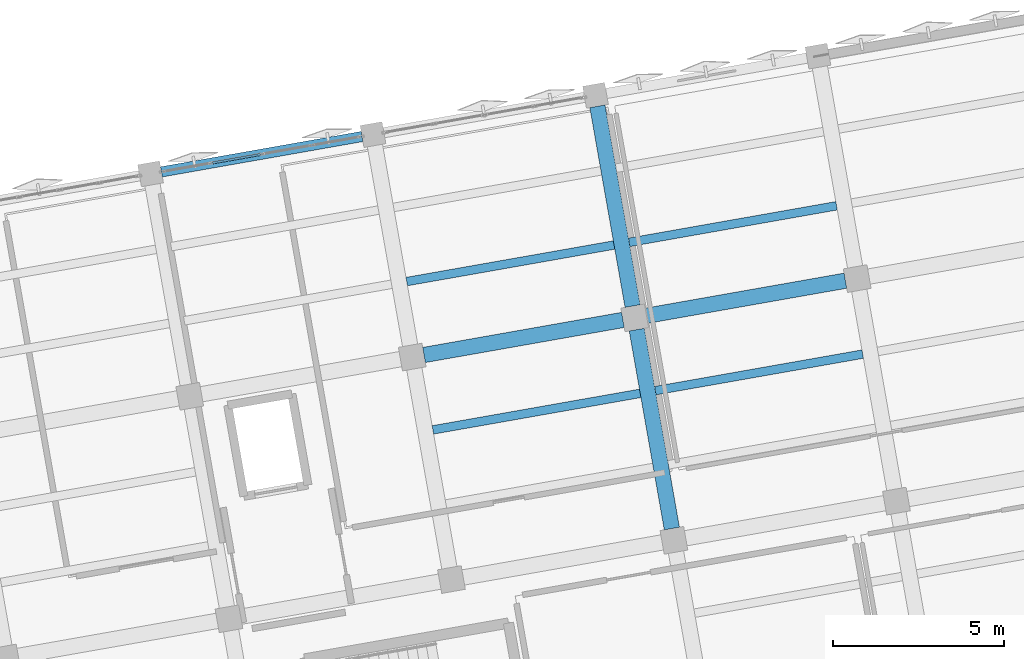
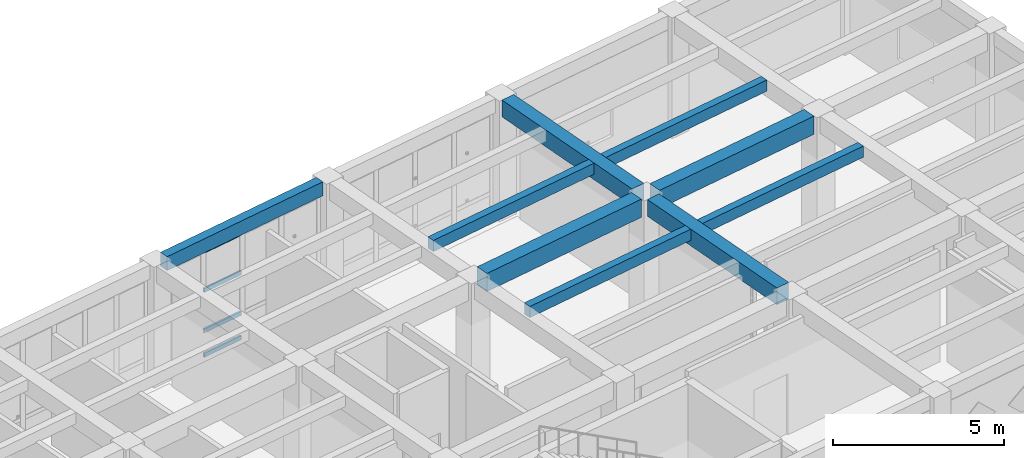
# One storey, part 16 of 48: 9 beams, 4 members, 1 element without a shape of its own.
"""IFC4 building model written with IfcOpenShell, lengths in metres."""

from ifc_helpers import new_model, si_unit, direction, frame, origin, origin_2d, place, context, subcontext, project, spatial, rectangle, hollow_rectangle, extrude, material, layer, layer_set, material_profile, profile_set, type_object, element, aggregate, save


model = new_model("IFC4")

# Units and contexts
model_context = context("Model", 3, precision=1e-05, world=origin(), true_north=direction((0.0, 1.0)))
body_context = subcontext(model_context, "Body", "Model", "MODEL_VIEW")
ifc_project = project(units=[si_unit("LENGTHUNIT", "METRE"), si_unit("AREAUNIT", "SQUARE_METRE"), si_unit("VOLUMEUNIT", "CUBIC_METRE"), si_unit("PLANEANGLEUNIT", "RADIAN"), si_unit("MASSUNIT", "GRAM", prefix="KILO")], contexts=[model_context])

# Site, building, storey
site_placement = place(None, origin())
site = spatial("IfcSite", under=ifc_project, at=site_placement, CompositionType="ELEMENT")
building_placement = place(site_placement, origin())
building = spatial("IfcBuilding", under=site, at=building_placement, Name="Kharisveld Research Institute", CompositionType="ELEMENT")
storey_placement = place(building_placement, frame((0.0, 0.0, 14.10009765625)))
storey = spatial("IfcBuildingStorey", under=building, at=storey_placement, Name="L03", CompositionType="ELEMENT", Elevation=14.10009765625)

# Beams
ifc_material_1 = material(Name="Concrete C40/50", Category="concrete")
ifc_material_profile_1 = material_profile(ifc_material_1, rectangle(XDim=0.449951171875, YDim=0.60009765625, at=origin_2d()))
ifc_profile_set_1 = profile_set([ifc_material_profile_1], Name="Concrete C40/50")
beam_type_1 = type_object("IfcBeamType", Name="BM_RC_450x600", PredefinedType="BEAM", material=ifc_profile_set_1)
beam_1_placement = place(storey_placement, frame((29.9921875, 46.438720703125, 4.010009765625), z_axis=(-0.173672023659, 0.984803548023, 0.0), x_axis=(-0.984803548023, -0.173672023659, 0.0)))
element("IfcBeam", 1, at=beam_1_placement, inside=storey, type_object=beam_type_1, Name="BM:V1:L03:V4_1", PredefinedType="BEAM", context=body_context, shape_type="SweptSolid", body=[
    extrude(rectangle(XDim=0.449951171875, YDim=0.60009765625, at=origin_2d()), origin(), (0.0, 0.0, 1.0), 5.89990234375),
])
beam_2_placement = place(storey_placement, frame((28.845947265625, 52.9384765625, 4.010009765625), z_axis=(-0.173639592071, 0.984809266846, 0.0), x_axis=(-0.984809266846, -0.173639592071, 0.0)))
element("IfcBeam", 2, at=beam_2_placement, inside=storey, type_object=beam_type_1, Name="BM:V1:L03:V4_2", PredefinedType="BEAM", context=body_context, shape_type="SweptSolid", body=[
    extrude(rectangle(XDim=0.449951171875, YDim=0.60009765625, at=origin_2d()), origin(), (0.0, 0.0, 1.0), 5.925048828125),
])
ifc_material_2 = material(Name="Concrete C40/50", Category="concrete")
ifc_material_profile_2 = material_profile(ifc_material_2, rectangle(XDim=0.449951171875, YDim=0.64990234375, at=origin_2d()))
ifc_profile_set_2 = profile_set([ifc_material_profile_2], Name="Concrete C40/50")
beam_type_2 = type_object("IfcBeamType", Name="BM_RC_450x650", PredefinedType="BEAM", material=ifc_profile_set_2)
for number, where, z_axis, x_axis, name in (
    (3, (22.751708984375, 51.508544921875, 3.98486328125), (0.984810624601, 0.173631891291, 0.0), (-0.173631891291, 0.984810624601, 0.0), "BM:V1:L03:U3_2"),
    (4, (29.25146484375, 52.654541015625, 3.98486328125), (0.984810624601, 0.173631891291, 0.0), (-0.173631891291, 0.984810624601, 0.0), "BM:V1:L03:U4_2"),
):
    element("IfcBeam", number, at=place(storey_placement, frame(where, z_axis=z_axis, x_axis=x_axis)), inside=storey, type_object=beam_type_2, Name=name, PredefinedType="BEAM", context=body_context, shape_type="SweptSolid", body=[
        extrude(rectangle(XDim=0.449951171875, YDim=0.64990234375, at=origin_2d()), origin(), (0.0, 0.0, 1.0), 5.89990234375),
    ])

# Curtain wall, members
ifc_material_3 = material(Name="Thermally Broken Aluminium Curtain Wall", Category="aluminium")
ifc_layer = layer(ifc_material_3, 0.159912109375)
ifc_layer_set = layer_set([ifc_layer], Name="CW_SYS_02")
curtain_wall_type = type_object("IfcCurtainWallType", Name="CW_SYS_02", PredefinedType="NOTDEFINED", material=ifc_layer_set)
curtain_wall_placement = place(storey_placement, origin())
curtain_wall = element("IfcCurtainWall", 5, at=curtain_wall_placement, inside=storey, type_object=curtain_wall_type, Name="CW:V1:L03:N2", PredefinedType="NOTDEFINED")
ifc_material_4 = material(Name="Anodised Aluminium AW-6063-T6", Category="aluminium")
ifc_material_profile_3 = material_profile(ifc_material_4, hollow_rectangle(XDim=0.06494140625, YDim=0.139892578125, WallThickness=0.00390625, at=origin_2d()))
ifc_profile_set_3 = profile_set([ifc_material_profile_3], Name="Anodised Aluminium AW-6063-T6")
member_type = type_object("IfcMemberType", Name="CW_TRN_140", PredefinedType="USERDEFINED", material=ifc_profile_set_3)
member_1_placement = place(storey_placement, frame((16.578125, 57.121826171875, 0.032470703125), z_axis=(0.984807780811, 0.17364802001, 0.0), x_axis=(-0.17364802001, 0.984807780811, 0.0)))
member_1 = element("IfcMember", 6, at=member_1_placement, type_object=member_type, Name="CW-02 transom 2.1", ObjectType="TRANSOM", PredefinedType="USERDEFINED", context=body_context, shape_type="SweptSolid", body=[
    extrude(hollow_rectangle(XDim=0.06494140625, YDim=0.139892578125, WallThickness=0.00390625, at=origin_2d()), origin(), (0.0, 0.0, 1.0), 1.419921875),
])
member_2_placement = place(storey_placement, frame((16.578125, 57.121826171875, 0.89990234375), z_axis=(0.984807780811, 0.17364802001, 0.0), x_axis=(-0.17364802001, 0.984807780811, 0.0)))
member_2 = element("IfcMember", 7, at=member_2_placement, type_object=member_type, Name="CW-02 transom 2.2", ObjectType="TRANSOM", PredefinedType="USERDEFINED", context=body_context, shape_type="SweptSolid", body=[
    extrude(hollow_rectangle(XDim=0.06494140625, YDim=0.139892578125, WallThickness=0.00390625, at=origin_2d()), origin(), (0.0, 0.0, 1.0), 1.419921875),
])
member_3_placement = place(storey_placement, frame((16.578125, 57.121826171875, 2.349853515625), z_axis=(0.984807780811, 0.17364802001, 0.0), x_axis=(-0.17364802001, 0.984807780811, 0.0)))
member_3 = element("IfcMember", 8, at=member_3_placement, type_object=member_type, Name="CW-02 transom 2.3", ObjectType="TRANSOM", PredefinedType="USERDEFINED", context=body_context, shape_type="SweptSolid", body=[
    extrude(hollow_rectangle(XDim=0.06494140625, YDim=0.139892578125, WallThickness=0.00390625, at=origin_2d()), origin(), (0.0, 0.0, 1.0), 1.419921875),
])
member_4_placement = place(storey_placement, frame((16.578125, 57.121826171875, 3.747314453125), z_axis=(0.984807780811, 0.17364802001, 0.0), x_axis=(-0.17364802001, 0.984807780811, 0.0)))
member_4 = element("IfcMember", 9, at=member_4_placement, type_object=member_type, Name="CW-02 transom 2.4", ObjectType="TRANSOM", PredefinedType="USERDEFINED", context=body_context, shape_type="SweptSolid", body=[
    extrude(hollow_rectangle(XDim=0.06494140625, YDim=0.139892578125, WallThickness=0.00390625, at=origin_2d()), origin(), (0.0, 0.0, 1.0), 1.419921875),
])
aggregate(curtain_wall, [member_1, member_2, member_3, member_4])

# Beams
ifc_material_5 = material(Name="Concrete C40/50", Category="concrete")
ifc_material_profile_4 = material_profile(ifc_material_5, rectangle(XDim=0.300048828125, YDim=0.5, at=origin_2d()))
ifc_profile_set_4 = profile_set([ifc_material_profile_4], Name="Concrete C40/50")
beam_type_3 = type_object("IfcBeamType", Name="SP_RC_300x500", PredefinedType="SPANDREL", material=ifc_profile_set_4)
beam_3_placement = place(storey_placement, frame((15.081298828125, 56.857666015625, 4.059814453125), z_axis=(0.984807920462, 0.173647228007, 0.0), x_axis=(-0.173647228007, 0.984807920462, 0.0)))
element("IfcBeam", 10, at=beam_3_placement, inside=storey, type_object=beam_type_3, Name="BM:V1:L03:U2_3", PredefinedType="SPANDREL", context=body_context, shape_type="SweptSolid", body=[
    extrude(rectangle(XDim=0.300048828125, YDim=0.5, at=origin_2d()), origin(), (0.0, 0.0, 1.0), 5.949951171875),
])
ifc_material_6 = material(Name="Concrete C40/50", Category="concrete")
ifc_material_profile_5 = material_profile(ifc_material_6, rectangle(XDim=0.25, YDim=0.39990234375, at=origin_2d()))
ifc_profile_set_5 = profile_set([ifc_material_profile_5], Name="Concrete C40/50")
beam_type_4 = type_object("IfcBeamType", Name="WB_RC_250x400", PredefinedType="JOIST", material=ifc_profile_set_5)
beam_4_placement = place(storey_placement, frame((23.0107421875, 49.320068359375, 4.10986328125), z_axis=(0.9848019372, 0.173681157546, 0.0), x_axis=(-0.173681157546, 0.9848019372, 0.0)))
element("IfcBeam", 11, at=beam_4_placement, inside=storey, type_object=beam_type_4, Name="BM:V1:L03:J_3_1_R2", PredefinedType="JOIST", context=body_context, shape_type="SweptSolid", body=[
    extrude(rectangle(XDim=0.25, YDim=0.39990234375, at=origin_2d()), origin(), (0.0, 0.0, 1.0), 6.14990234375),
])
beam_5_placement = place(storey_placement, frame((22.24658203125, 53.6533203125, 4.10986328125), z_axis=(0.984809923515, 0.173635867682, 0.0), x_axis=(-0.173635867682, 0.984809923515, 0.0)))
element("IfcBeam", 12, at=beam_5_placement, inside=storey, type_object=beam_type_4, Name="BM:V1:L03:J_3_2_R1", PredefinedType="JOIST", context=body_context, shape_type="SweptSolid", body=[
    extrude(rectangle(XDim=0.25, YDim=0.39990234375, at=origin_2d()), origin(), (0.0, 0.0, 1.0), 6.150146484375),
])
beam_6_placement = place(storey_placement, frame((29.510498046875, 50.46630859375, 4.10986328125), z_axis=(0.984808726596, 0.17364265611, 0.0), x_axis=(-0.17364265611, 0.984808726596, 0.0)))
element("IfcBeam", 13, at=beam_6_placement, inside=storey, type_object=beam_type_4, Name="BM:V1:L03:J_4_1_R2", PredefinedType="JOIST", context=body_context, shape_type="SweptSolid", body=[
    extrude(rectangle(XDim=0.25, YDim=0.39990234375, at=origin_2d()), origin(), (0.0, 0.0, 1.0), 6.14990234375),
])
beam_7_placement = place(storey_placement, frame((28.746337890625, 54.79931640625, 4.10986328125), z_axis=(0.984803134643, 0.173674367706, 0.0), x_axis=(-0.173674367706, 0.984803134643, 0.0)))
element("IfcBeam", 14, at=beam_7_placement, inside=storey, type_object=beam_type_4, Name="BM:V1:L03:J_4_2_R1", PredefinedType="JOIST", context=body_context, shape_type="SweptSolid", body=[
    extrude(rectangle(XDim=0.25, YDim=0.39990234375, at=origin_2d()), origin(), (0.0, 0.0, 1.0), 6.150146484375),
])

save(model, "model.ifc")
